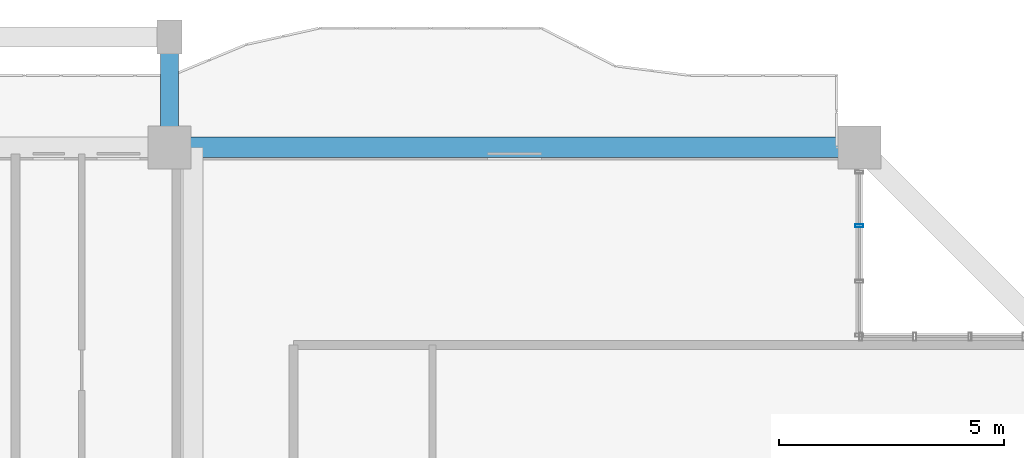
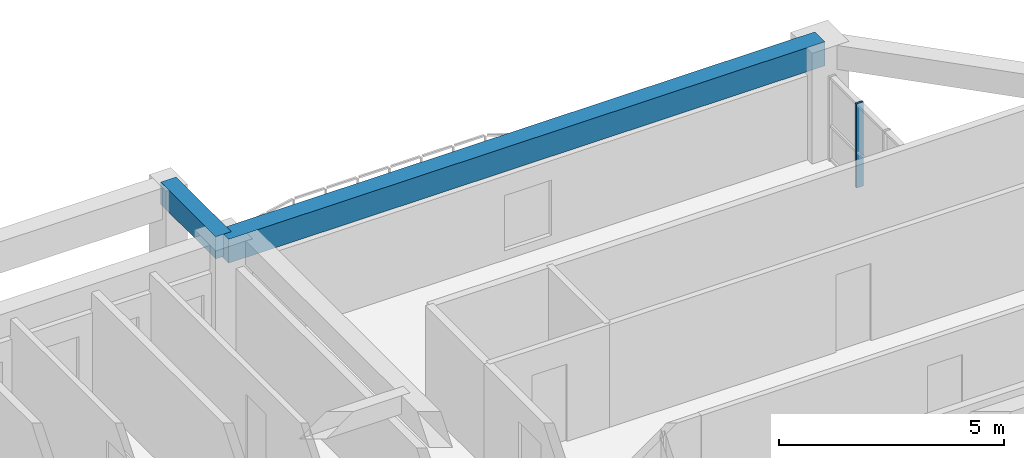
# One storey, part 11 of 26: 2 beams, 1 member, 1 element without a shape of its own.
"""IFC4 building model written with IfcOpenShell, lengths in metres."""

from ifc_helpers import new_model, si_unit, direction, frame, origin, origin_2d, place, context, subcontext, project, spatial, rectangle, hollow_rectangle, extrude, source, transform, mapped, material, layer, layer_set, material_profile, profile_set, type_object, element, aggregate, save


model = new_model("IFC4")

# Units and contexts
model_context = context("Model", 3, precision=1e-05, world=origin(), true_north=direction((0.0, 1.0)))
body_context = subcontext(model_context, "Body", "Model", "MODEL_VIEW")
ifc_project = project(units=[si_unit("LENGTHUNIT", "METRE"), si_unit("AREAUNIT", "SQUARE_METRE"), si_unit("VOLUMEUNIT", "CUBIC_METRE"), si_unit("PLANEANGLEUNIT", "RADIAN"), si_unit("MASSUNIT", "GRAM", prefix="KILO")], contexts=[model_context])

# Site, building, storey
site_placement = place(None, origin())
site = spatial("IfcSite", under=ifc_project, at=site_placement, CompositionType="ELEMENT")
building_placement = place(site_placement, origin())
building = spatial("IfcBuilding", under=site, at=building_placement, Name="Saelheon Loggia Tower", CompositionType="ELEMENT")
storey_placement = place(building_placement, frame((0.0, 0.0, 116.85009765625)))
storey = spatial("IfcBuildingStorey", under=building, at=storey_placement, Name="L37", CompositionType="ELEMENT", Elevation=116.85009765625)

# Beams
ifc_material_1 = material(Name="Precast Concrete C45/55", Category="concrete")
ifc_material_profile_1 = material_profile(ifc_material_1, rectangle(XDim=0.39990234375, YDim=0.60009765625, at=origin_2d()), Name="RC-400x600")
ifc_profile_set_1 = profile_set([ifc_material_profile_1], Name="Precast Concrete C45/55")
beam_type_1 = type_object("IfcBeamType", Name="Beam_LoggiaTie_RC400x600", PredefinedType="BEAM", material=ifc_profile_set_1)
shared_shape_1 = source(origin(), body_context, "Body", "SweptSolid", [
    extrude(rectangle(XDim=0.39990234375, YDim=0.60009765625, at=origin_2d()), origin(), (0.0, 0.0, 1.0), 2.449951171875),
])
beam_1_placement = place(storey_placement, frame((44.5, 51.0, 2.699951171875), z_axis=(0.0, 1.0, 0.0), x_axis=(-1.0, 0.0, 0.0)))
element("IfcBeam", 1, at=beam_1_placement, inside=storey, type_object=beam_type_1, Name="L37 Loggia Frame Tie Beam LP-N2", PredefinedType="BEAM", context=body_context, shape_type="MappedRepresentation", body=[
    mapped(shared_shape_1, transform((0.0, 0.0, 0.0), scale=1.0)),
])
ifc_material_2 = material(Name="Concrete C40/50", Category="concrete")
ifc_material_profile_2 = material_profile(ifc_material_2, rectangle(XDim=0.449951171875, YDim=0.64990234375, at=origin_2d()), Name="RC-450x650")
ifc_profile_set_2 = profile_set([ifc_material_profile_2], Name="Concrete C40/50")
beam_type_2 = type_object("IfcBeamType", Name="Beam_PerimTower_RC450x650", PredefinedType="BEAM", material=ifc_profile_set_2)
shared_shape_2 = source(origin(), body_context, "Body", "SweptSolid", [
    extrude(rectangle(XDim=0.449951171875, YDim=0.64990234375, at=origin_2d()), origin(), (0.0, 0.0, 1.0), 15.300048828125),
])
beam_2_placement = place(storey_placement, frame((59.800048828125, 51.0, 2.6748046875), z_axis=(-1.0, 0.0, 0.0), x_axis=(0.0, -1.0, 0.0)))
element("IfcBeam", 2, at=beam_2_placement, inside=storey, type_object=beam_type_2, Name="L37 Perimeter Frame Girder 09", PredefinedType="BEAM", context=body_context, shape_type="MappedRepresentation", body=[
    mapped(shared_shape_2, transform((0.0, 0.0, 0.0), scale=1.0)),
])

# Curtain wall, member
ifc_material_3 = material(Name="Thermal-Break Aluminium and Triple Low-E Glass", Category="aluminium")
ifc_layer = layer(ifc_material_3, 0.159912109375)
ifc_layer_set = layer_set([ifc_layer], Name="Thermal-Break Aluminium and Triple Low-E Glass")
curtain_wall_type = type_object("IfcCurtainWallType", Name="CW_TowerLoggiaLow", PredefinedType="NOTDEFINED", material=ifc_layer_set)
curtain_wall_placement = place(storey_placement, origin())
curtain_wall = element("IfcCurtainWall", 3, at=curtain_wall_placement, inside=storey, type_object=curtain_wall_type, Name="L37 Corner Notch Glazing NE1", PredefinedType="NOTDEFINED")
ifc_material_4 = material(Name="Anodised Aluminium 6063-T6", Category="aluminium")
ifc_material_profile_3 = material_profile(ifc_material_4, hollow_rectangle(XDim=0.06494140625, YDim=0.179931640625, WallThickness=0.00390625, at=origin_2d()), Name="RHS-180x65x4")
ifc_profile_set_3 = profile_set([ifc_material_profile_3], Name="Anodised Aluminium 6063-T6")
member_type = type_object("IfcMemberType", Name="CW_TowerLoggiaLow_Mullion", PredefinedType="MULLION", material=ifc_profile_set_3)
shared_shape_3 = source(origin(), body_context, "Body", "SweptSolid", [
    extrude(hollow_rectangle(XDim=0.06494140625, YDim=0.179931640625, WallThickness=0.00390625, at=origin_2d()), origin(), (0.0, 0.0, 1.0), 2.27978515625),
])
member_placement = place(storey_placement, frame((59.800048828125, 49.256591796875, 0.0), z_axis=(0.0, 0.0, 1.0), x_axis=(0.0, 1.0, 0.0)))
member = element("IfcMember", 4, at=member_placement, type_object=member_type, Name="CW3 mullion 3", PredefinedType="MULLION", context=body_context, shape_type="MappedRepresentation", body=[
    mapped(shared_shape_3, transform((0.0, 0.0, 0.0), scale=1.0)),
])
aggregate(curtain_wall, [member])

save(model, "model.ifc")
